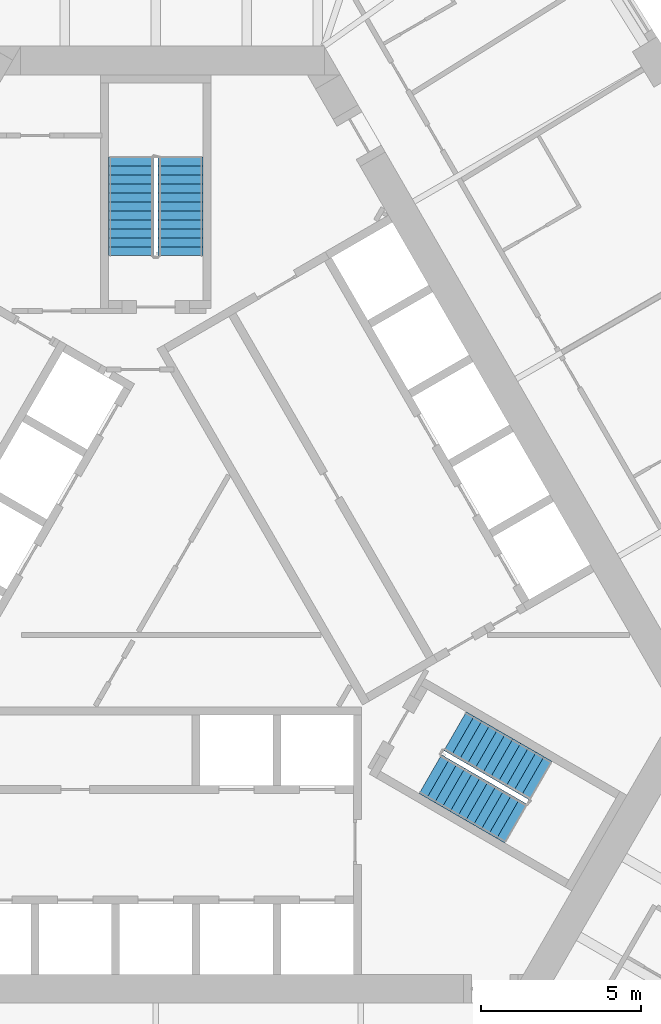
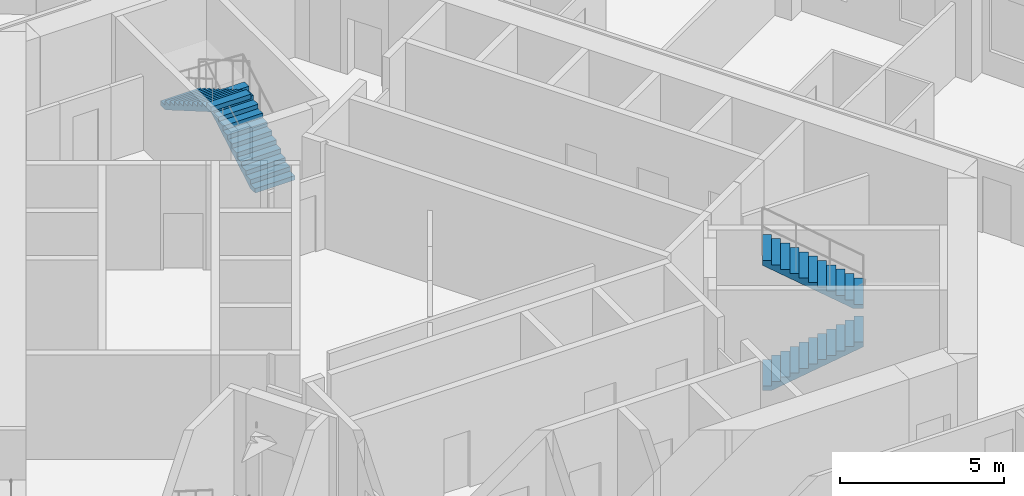
# One storey, part 12 of 13: 4 stair flights, 2 elements without a shape of their own.
"""IFC4 building model written with IfcOpenShell, lengths in metres."""

from ifc_helpers import new_model, si_unit, direction, frame, origin, place, context, subcontext, project, spatial, polyline, outline, extrude, material, type_object, element, aggregate, save


model = new_model("IFC4")

# Units and contexts
model_context = context("Model", 3, precision=1e-05, world=origin(), true_north=direction((0.0, 1.0)))
body_context = subcontext(model_context, "Body", "Model", "MODEL_VIEW")
ifc_project = project(units=[si_unit("LENGTHUNIT", "METRE"), si_unit("AREAUNIT", "SQUARE_METRE"), si_unit("VOLUMEUNIT", "CUBIC_METRE"), si_unit("PLANEANGLEUNIT", "RADIAN"), si_unit("MASSUNIT", "GRAM", prefix="KILO")], contexts=[model_context])

# Site, building, storey
site_placement = place(None, origin())
site = spatial("IfcSite", under=ifc_project, at=site_placement, CompositionType="ELEMENT")
building_placement = place(site_placement, origin())
building = spatial("IfcBuilding", under=site, at=building_placement, Name="Mestral Congress Tower", CompositionType="ELEMENT")
storey_placement = place(building_placement, frame((0.0, 0.0, 95.39990234375)))
storey = spatial("IfcBuildingStorey", under=building, at=storey_placement, Name="L22", CompositionType="ELEMENT", Elevation=95.39990234375)

# Stair, stair flights
ifc_material = material(Name="Concrete C60/75", Category="concrete")
stair_type = type_object("IfcStairType", Name="Exit stair 1400", PredefinedType="HALF_TURN_STAIR", material=ifc_material)
placement = place(storey_placement, origin())
stair_1 = element("IfcStair", 1, at=placement, inside=storey, type_object=stair_type, Name="L22 ST1", PredefinedType="HALF_TURN_STAIR")
stair_flight_type = type_object("IfcStairFlightType", Name="Exit stair flight 1400", PredefinedType="STRAIGHT", material=ifc_material)
stair_flight_1_placement = place(storey_placement, frame((8.575927734375, -5.84619140625, 0.0), z_axis=(0.0, 0.0, 1.0), x_axis=(0.866025403784, -0.5, 0.0)))
stair_flight_1 = element("IfcStairFlight", 2, at=stair_flight_1_placement, type_object=stair_flight_type, Name="ST1 flight 1", NumberOfRisers=12, NumberOfTreads=11, PredefinedType="STRAIGHT", RiserHeight=0.1625, TreadLength=0.28, context=body_context, shape_type="SweptSolid", body=[
    extrude(outline(polyline([(0.0, 0.0), (0.0, 0.16259765625), (0.280029296875, 0.16259765625), (0.280029296875, 0.324951171875), (0.56005859375, 0.324951171875), (0.56005859375, 0.487548828125), (0.840087890625, 0.487548828125), (0.840087890625, 0.64990234375), (1.1201171875, 0.64990234375), (1.1201171875, 0.8125), (1.39990234375, 0.8125), (1.39990234375, 0.97509765625), (1.679931640625, 0.97509765625), (1.679931640625, 1.137451171875), (1.9599609375, 1.137451171875), (1.9599609375, 1.300048828125), (2.239990234375, 1.300048828125), (2.239990234375, 1.46240234375), (2.52001953125, 1.46240234375), (2.52001953125, 1.625), (2.800048828125, 1.625), (2.800048828125, 1.78759765625), (3.080078125, 1.78759765625), (3.080078125, 1.949951171875), (3.080078125, 1.6142578125), (0.298583984375, 0.0), (0.0, 0.0)])), frame((0.0, 0.699951171875, 0.0), z_axis=(0.0, -1.0, 0.0), x_axis=(1.0, 0.0, 0.0)), (0.0, 0.0, 1.0), 1.39990234375),
])
stair_flight_2_placement = place(storey_placement, frame((12.018310546875, -6.0439453125, 1.9501953125), z_axis=(0.0, 0.0, 1.0), x_axis=(-0.866025403784, 0.5, 0.0)))
stair_flight_2 = element("IfcStairFlight", 3, at=stair_flight_2_placement, type_object=stair_flight_type, Name="ST1 flight 2", NumberOfRisers=12, NumberOfTreads=11, PredefinedType="STRAIGHT", RiserHeight=0.1625, TreadLength=0.28, context=body_context, shape_type="SweptSolid", body=[
    extrude(outline(polyline([(0.0, 0.0), (0.0, 0.16259765625), (0.280029296875, 0.16259765625), (0.280029296875, 0.324951171875), (0.56005859375, 0.324951171875), (0.56005859375, 0.487548828125), (0.840087890625, 0.487548828125), (0.840087890625, 0.64990234375), (1.1201171875, 0.64990234375), (1.1201171875, 0.8125), (1.39990234375, 0.8125), (1.39990234375, 0.97509765625), (1.679931640625, 0.97509765625), (1.679931640625, 1.137451171875), (1.9599609375, 1.137451171875), (1.9599609375, 1.300048828125), (2.239990234375, 1.300048828125), (2.239990234375, 1.46240234375), (2.52001953125, 1.46240234375), (2.52001953125, 1.625), (2.800048828125, 1.625), (2.800048828125, 1.78759765625), (3.080078125, 1.78759765625), (3.080078125, 1.949951171875), (3.080078125, 1.6142578125), (0.298583984375, 0.0), (0.0, 0.0)])), frame((0.0, 0.699951171875, 0.0), z_axis=(0.0, -1.0, 0.0), x_axis=(1.0, 0.0, 0.0)), (0.0, 0.0, 1.0), 1.39990234375),
])
aggregate(stair_1, [stair_flight_1, stair_flight_2])

stair_2 = element("IfcStair", 4, at=placement, inside=storey, type_object=stair_type, Name="L22 ST2", PredefinedType="HALF_TURN_STAIR")
stair_flight_3_placement = place(storey_placement, frame((0.77490234375, 10.35009765625, 0.0), z_axis=(0.0, 0.0, 1.0), x_axis=(0.0, 1.0, 0.0)))
stair_flight_3 = element("IfcStairFlight", 5, at=stair_flight_3_placement, type_object=stair_flight_type, Name="ST2 flight 1", NumberOfRisers=12, NumberOfTreads=11, PredefinedType="STRAIGHT", RiserHeight=0.1625, TreadLength=0.28, context=body_context, shape_type="SweptSolid", body=[
    extrude(outline(polyline([(0.0, 0.0), (0.0, 0.16259765625), (0.280029296875, 0.16259765625), (0.280029296875, 0.324951171875), (0.56005859375, 0.324951171875), (0.56005859375, 0.487548828125), (0.840087890625, 0.487548828125), (0.840087890625, 0.64990234375), (1.1201171875, 0.64990234375), (1.1201171875, 0.8125), (1.39990234375, 0.8125), (1.39990234375, 0.97509765625), (1.679931640625, 0.97509765625), (1.679931640625, 1.137451171875), (1.9599609375, 1.137451171875), (1.9599609375, 1.300048828125), (2.239990234375, 1.300048828125), (2.239990234375, 1.46240234375), (2.52001953125, 1.46240234375), (2.52001953125, 1.625), (2.800048828125, 1.625), (2.800048828125, 1.78759765625), (3.080078125, 1.78759765625), (3.080078125, 1.949951171875), (3.080078125, 1.6142578125), (0.298583984375, 0.0), (0.0, 0.0)])), frame((0.0, 0.699951171875, 0.0), z_axis=(0.0, -1.0, 0.0), x_axis=(1.0, 0.0, 0.0)), (0.0, 0.0, 1.0), 1.39990234375),
])
stair_flight_4_placement = place(storey_placement, frame((-0.77490234375, 13.429931640625, 1.9501953125), z_axis=(0.0, 0.0, 1.0), x_axis=(0.0, -1.0, 0.0)))
stair_flight_4 = element("IfcStairFlight", 6, at=stair_flight_4_placement, type_object=stair_flight_type, Name="ST2 flight 2", NumberOfRisers=12, NumberOfTreads=11, PredefinedType="STRAIGHT", RiserHeight=0.1625, TreadLength=0.28, context=body_context, shape_type="SweptSolid", body=[
    extrude(outline(polyline([(0.0, 0.0), (0.0, 0.16259765625), (0.280029296875, 0.16259765625), (0.280029296875, 0.324951171875), (0.56005859375, 0.324951171875), (0.56005859375, 0.487548828125), (0.840087890625, 0.487548828125), (0.840087890625, 0.64990234375), (1.1201171875, 0.64990234375), (1.1201171875, 0.8125), (1.39990234375, 0.8125), (1.39990234375, 0.97509765625), (1.679931640625, 0.97509765625), (1.679931640625, 1.137451171875), (1.9599609375, 1.137451171875), (1.9599609375, 1.300048828125), (2.239990234375, 1.300048828125), (2.239990234375, 1.46240234375), (2.52001953125, 1.46240234375), (2.52001953125, 1.625), (2.800048828125, 1.625), (2.800048828125, 1.78759765625), (3.080078125, 1.78759765625), (3.080078125, 1.949951171875), (3.080078125, 1.6142578125), (0.298583984375, 0.0), (0.0, 0.0)])), frame((0.0, 0.699951171875, 0.0), z_axis=(0.0, -1.0, 0.0), x_axis=(1.0, 0.0, 0.0)), (0.0, 0.0, 1.0), 1.39990234375),
])
aggregate(stair_2, [stair_flight_3, stair_flight_4])

save(model, "model.ifc")
